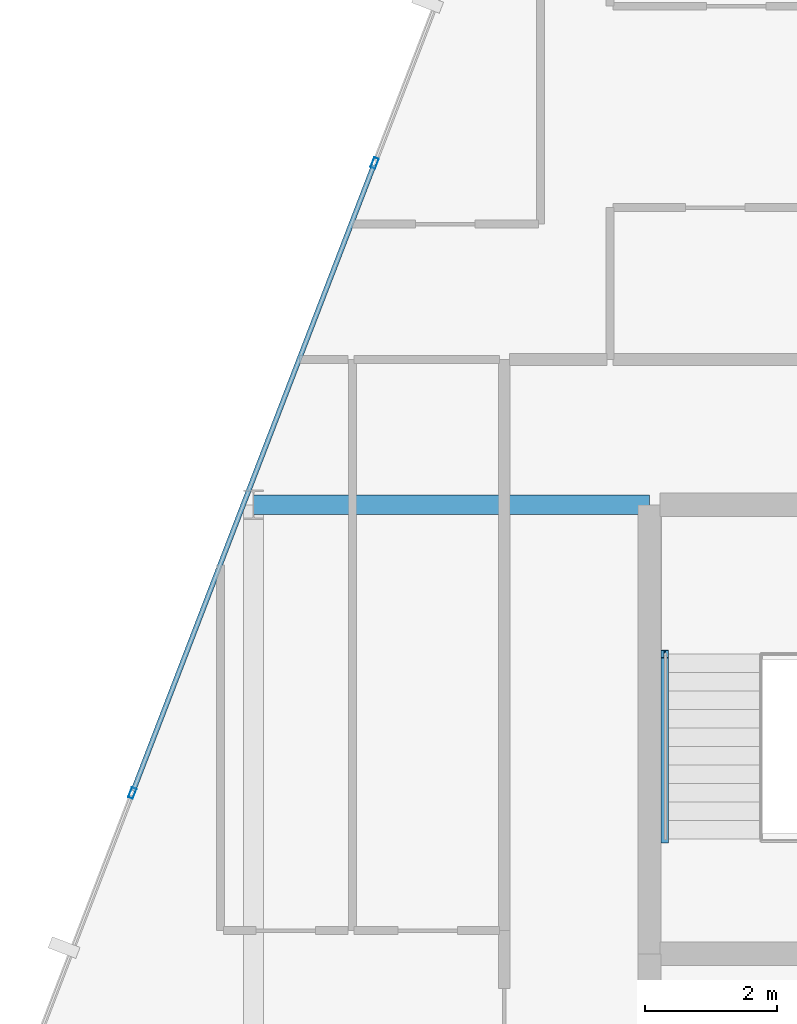
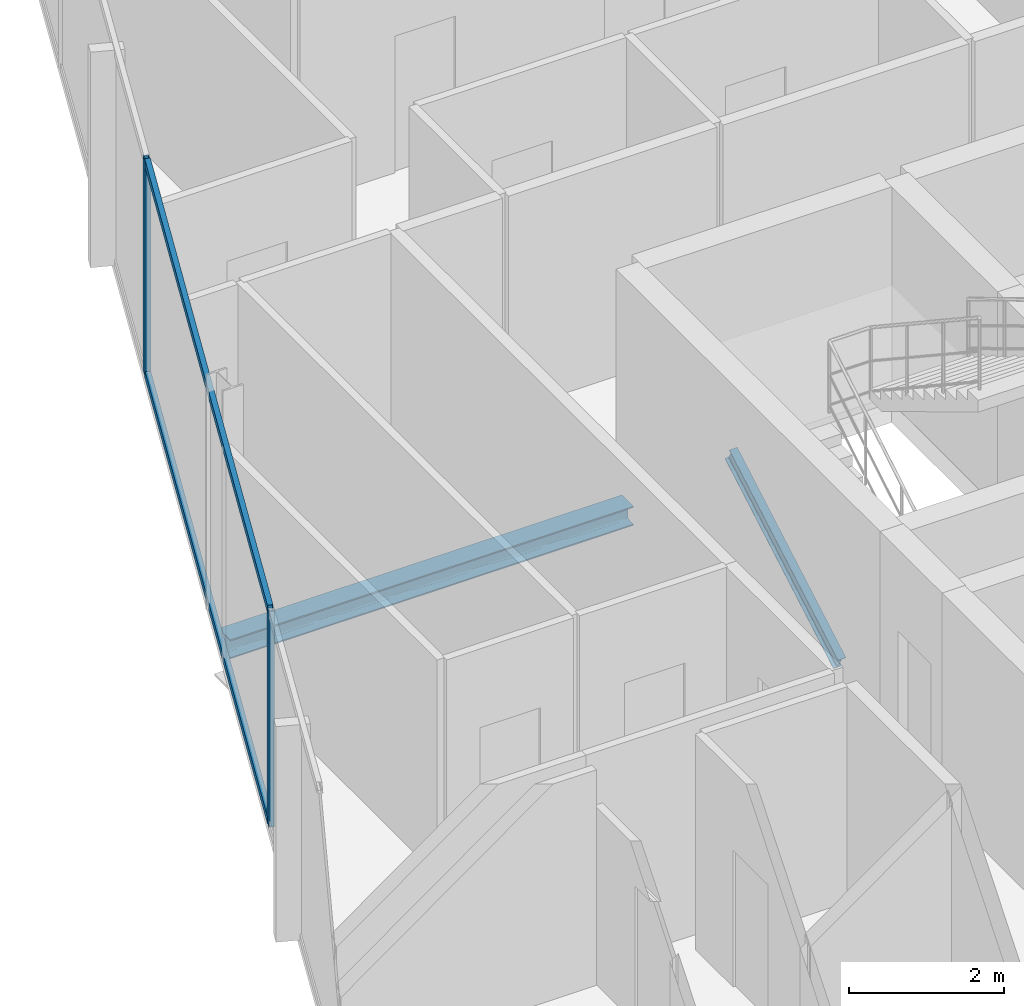
# One storey, part 16 of 29: 5 members, 1 beam, 1 element without a shape of its own.
"""IFC4 building model written with IfcOpenShell, lengths in metres."""

from ifc_helpers import new_model, si_unit, direction, frame, origin, origin_2d, place, context, subcontext, project, spatial, hollow_rectangle, i_section, extrude, material, layer, layer_set, material_profile, profile_set, type_object, element, aggregate, save


model = new_model("IFC4")

# Units and contexts
model_context = context("Model", 3, precision=1e-05, world=origin(), true_north=direction((0.0, 1.0)))
body_context = subcontext(model_context, "Body", "Model", "MODEL_VIEW")
ifc_project = project(units=[si_unit("LENGTHUNIT", "METRE"), si_unit("AREAUNIT", "SQUARE_METRE"), si_unit("VOLUMEUNIT", "CUBIC_METRE"), si_unit("PLANEANGLEUNIT", "RADIAN"), si_unit("MASSUNIT", "GRAM", prefix="KILO")], contexts=[model_context])

# Site, building, storey
site_placement = place(None, origin())
site = spatial("IfcSite", under=ifc_project, at=site_placement, CompositionType="ELEMENT")
building_placement = place(site_placement, origin())
building = spatial("IfcBuilding", under=site, at=building_placement, Name="Keshet Zoharim Tower", CompositionType="ELEMENT")
storey_placement = place(building_placement, frame((0.0, 0.0, 188.39990234375)))
storey = spatial("IfcBuildingStorey", under=building, at=storey_placement, Name="L46", CompositionType="ELEMENT", Elevation=188.39990234375)

# Beam
ifc_material_1 = material(Name="Steel S355", Category="steel")
ifc_material_profile_1 = material_profile(ifc_material_1, i_section(OverallWidth=0.300048828125, OverallDepth=0.300048828125, WebThickness=0.010986328125, FlangeThickness=0.01904296875, FilletRadius=0.027099609375, at=origin_2d()), Name="HEB300")
ifc_profile_set_1 = profile_set([ifc_material_profile_1], Name="Steel S355")
beam_type = type_object("IfcBeamType", Name="BM-PRI-HB300", PredefinedType="BEAM", material=ifc_profile_set_1)
beam_placement = place(storey_placement, frame((9.0, 37.89990234375, -0.4599609375), z_axis=(1.0, 0.0, 0.0), x_axis=(0.0, 1.0, 0.0)))
element("IfcBeam", 1, at=beam_placement, inside=storey, type_object=beam_type, Name="L46 Primary Girder X-017", PredefinedType="BEAM", context=body_context, shape_type="SweptSolid", body=[
    extrude(i_section(OverallWidth=0.300048828125, OverallDepth=0.300048828125, WebThickness=0.010986328125, FlangeThickness=0.01904296875, FilletRadius=0.027099609375, at=origin_2d()), origin(), (0.0, 0.0, 1.0), 6.0),
])

# Curtain wall, members
ifc_material_2 = material(Name="Aluminium 6063-T6", Category="aluminium")
ifc_layer = layer(ifc_material_2, 0.139892578125)
ifc_layer_set = layer_set([ifc_layer], Name="Aluminium 6063-T6")
curtain_wall_type = type_object("IfcCurtainWallType", Name="CW-SYS-05", PredefinedType="NOTDEFINED", material=ifc_layer_set)
curtain_wall_placement = place(storey_placement, origin())
curtain_wall = element("IfcCurtainWall", 2, at=curtain_wall_placement, inside=storey, type_object=curtain_wall_type, Name="L46 Unitised Curtain Wall 13", PredefinedType="NOTDEFINED")
ifc_material_profile_2 = material_profile(ifc_material_2, hollow_rectangle(XDim=0.074951171875, YDim=0.159912109375, WallThickness=0.00390625, at=origin_2d()), Name="MUL-75x160")
ifc_profile_set_2 = profile_set([ifc_material_profile_2], Name="Aluminium 6063-T6")
member_type_1 = type_object("IfcMemberType", Name="CWM-M15", PredefinedType="MULLION", material=ifc_profile_set_2)
member_1_placement = place(storey_placement, frame((7.1669921875, 33.53466796875, 0.0), z_axis=(0.0, 0.0, 1.0), x_axis=(-0.933341404361, 0.358990003907, 0.0)))
member_1 = element("IfcMember", 3, at=member_1_placement, type_object=member_type_1, Name="CW-05 mullion 2", PredefinedType="MULLION", context=body_context, shape_type="SweptSolid", body=[
    extrude(hollow_rectangle(XDim=0.074951171875, YDim=0.159912109375, WallThickness=0.00390625, at=origin_2d()), origin(), (0.0, 0.0, 1.0), 3.39013671875),
])
member_2_placement = place(storey_placement, frame((10.8369140625, 43.076416015625, 0.0), z_axis=(0.0, 0.0, 1.0), x_axis=(-0.933341404361, 0.358990003907, 0.0)))
member_2 = element("IfcMember", 4, at=member_2_placement, type_object=member_type_1, Name="CW-05 mullion 3", PredefinedType="MULLION", context=body_context, shape_type="SweptSolid", body=[
    extrude(hollow_rectangle(XDim=0.074951171875, YDim=0.159912109375, WallThickness=0.00390625, at=origin_2d()), origin(), (0.0, 0.0, 1.0), 3.39013671875),
])
ifc_material_profile_3 = material_profile(ifc_material_2, hollow_rectangle(XDim=0.074951171875, YDim=0.1201171875, WallThickness=0.00390625, at=origin_2d()), Name="TRN-75x120")
ifc_profile_set_3 = profile_set([ifc_material_profile_3], Name="Aluminium 6063-T6")
member_type_2 = type_object("IfcMemberType", Name="CWT-T12", PredefinedType="USERDEFINED", material=ifc_profile_set_3)
member_3_placement = place(storey_placement, frame((7.179443359375, 33.5673828125, 0.03515625), z_axis=(0.359003248899, 0.933336309848, 0.0), x_axis=(-0.933336309848, 0.359003248899, 0.0)))
member_3 = element("IfcMember", 5, at=member_3_placement, type_object=member_type_2, Name="CW-05 transom 2.1", ObjectType="TRANSOM", PredefinedType="USERDEFINED", context=body_context, shape_type="SweptSolid", body=[
    extrude(hollow_rectangle(XDim=0.074951171875, YDim=0.1201171875, WallThickness=0.00390625, at=origin_2d()), origin(), (0.0, 0.0, 1.0), 10.153076171875),
])
member_4_placement = place(storey_placement, frame((7.179443359375, 33.5673828125, 3.35498046875), z_axis=(0.359003248899, 0.933336309848, 0.0), x_axis=(-0.933336309848, 0.359003248899, 0.0)))
member_4 = element("IfcMember", 6, at=member_4_placement, type_object=member_type_2, Name="CW-05 transom 2.2", ObjectType="TRANSOM", PredefinedType="USERDEFINED", context=body_context, shape_type="SweptSolid", body=[
    extrude(hollow_rectangle(XDim=0.074951171875, YDim=0.1201171875, WallThickness=0.00390625, at=origin_2d()), origin(), (0.0, 0.0, 1.0), 10.153076171875),
])
aggregate(curtain_wall, [member_1, member_2, member_3, member_4])

# Member
ifc_material_profile_4 = material_profile(ifc_material_1, i_section(OverallWidth=0.1201171875, OverallDepth=0.239990234375, WebThickness=0.006103515625, FlangeThickness=0.009765625, FilletRadius=0.014892578125, at=origin_2d()), Name="IPE240")
ifc_profile_set_4 = profile_set([ifc_material_profile_4], Name="Steel S355")
member_type_3 = type_object("IfcMemberType", Name="MB-STRG-IP240", PredefinedType="STRINGER", material=ifc_profile_set_4)
member_5_placement = place(storey_placement, frame((15.22998046875, 32.840087890625, 0.1201171875), z_axis=(0.0, 0.866909569656, 0.498465443174), x_axis=(-1.0, 0.0, 0.0)))
element("IfcMember", 7, at=member_5_placement, inside=storey, type_object=member_type_3, Name="L46 ST-02 Flight Steel Stringer", PredefinedType="STRINGER", context=body_context, shape_type="SweptSolid", body=[
    extrude(i_section(OverallWidth=0.1201171875, OverallDepth=0.239990234375, WebThickness=0.006103515625, FlangeThickness=0.009765625, FilletRadius=0.014892578125, at=origin_2d()), origin(), (0.0, 0.0, 1.0), 3.229736328125),
])

save(model, "model.ifc")
